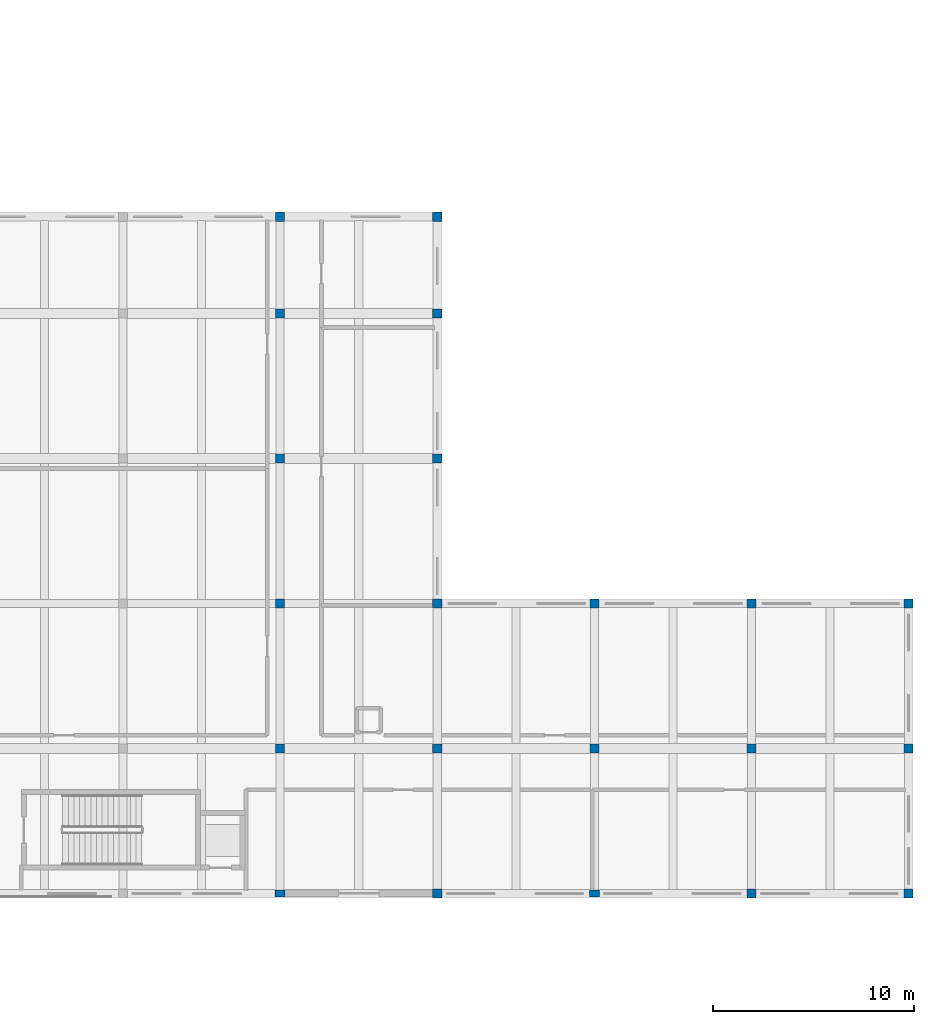
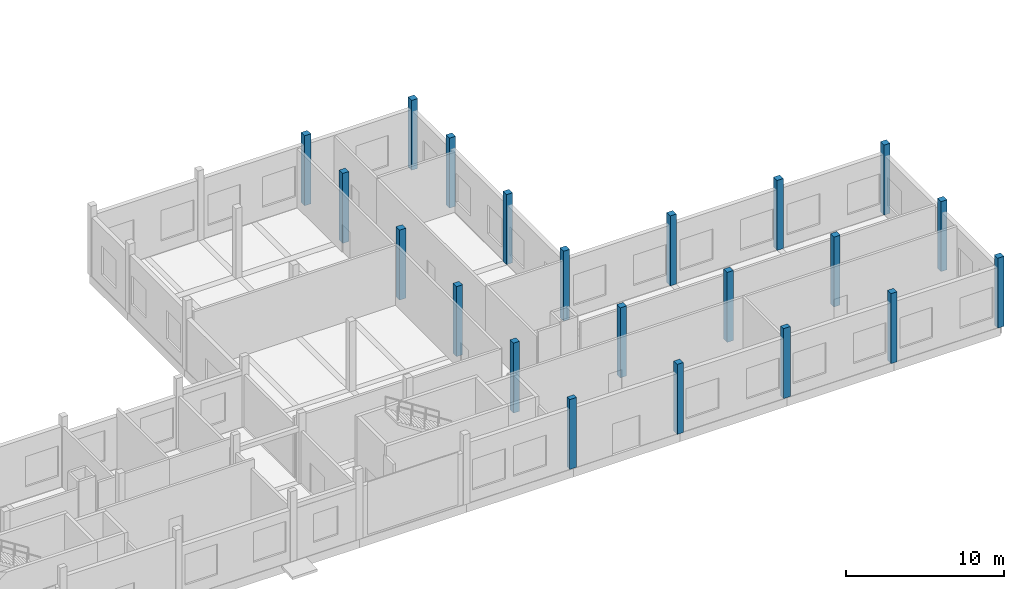
# One storey, part 7 of 41: 21 columns.
"""IFC4 building model written with IfcOpenShell, lengths in metres."""

from ifc_helpers import new_model, si_unit, direction, frame, origin, origin_2d, place, context, subcontext, project, spatial, rectangle, extrude, material, material_profile, profile_set, type_object, element, save


model = new_model("IFC4")

# Units and contexts
model_context = context("Model", 3, precision=1e-05, world=origin(), true_north=direction((0.0, 1.0)))
body_context = subcontext(model_context, "Body", "Model", "MODEL_VIEW")
ifc_project = project(units=[si_unit("LENGTHUNIT", "METRE"), si_unit("AREAUNIT", "SQUARE_METRE"), si_unit("VOLUMEUNIT", "CUBIC_METRE"), si_unit("PLANEANGLEUNIT", "RADIAN"), si_unit("MASSUNIT", "GRAM", prefix="KILO")], contexts=[model_context])

# Site, building, storey
site_placement = place(None, origin())
site = spatial("IfcSite", under=ifc_project, at=site_placement, CompositionType="ELEMENT")
building_placement = place(site_placement, origin())
building = spatial("IfcBuilding", under=site, at=building_placement, Name="Kahlenmark Community Centre", CompositionType="ELEMENT")
storey_placement = place(building_placement, origin())
storey = spatial("IfcBuildingStorey", under=building, at=storey_placement, Name="L00", CompositionType="ELEMENT", Elevation=0.0)

# Columns
ifc_material = material(Name="Concrete C35/45", Category="concrete")
ifc_material_profile_1 = material_profile(ifc_material, rectangle(XDim=0.5, YDim=0.35009765625, at=origin_2d()), Name="RC 500x350")
ifc_profile_set_1 = profile_set([ifc_material_profile_1], Name="Concrete C35/45")
column_type_1 = type_object("IfcColumnType", Name="CT-PIL500", PredefinedType="PILASTER", material=ifc_profile_set_1)
for number, where, z_axis, x_axis, name in (
    (1, (137.199951171875, 8.800048828125, 0.0), (0.0, 0.0, 1.0), (1.0, 0.0, 0.0), "L00 pilaster (137.2, 8.8)"),
    (2, (152.800048828125, 8.800048828125, 0.0), (0.0, 0.0, 1.0), (1.0, 0.0, 0.0), "L00 pilaster (152.8, 8.8)"),
):
    element("IfcColumn", number, at=place(storey_placement, frame(where, z_axis=z_axis, x_axis=x_axis)), inside=storey, type_object=column_type_1, Name=name, PredefinedType="PILASTER", context=body_context, shape_type="SweptSolid", body=[
        extrude(rectangle(XDim=0.5, YDim=0.35009765625, at=origin_2d()), origin(), (0.0, 0.0, 1.0), 5.39990234375),
    ])
ifc_material_profile_2 = material_profile(ifc_material, rectangle(XDim=0.449951171875, YDim=0.449951171875, at=origin_2d()), Name="RC 450x450")
ifc_profile_set_2 = profile_set([ifc_material_profile_2], Name="Concrete C35/45")
column_type_2 = type_object("IfcColumnType", Name="CT-RC450", PredefinedType="COLUMN", material=ifc_profile_set_2)
for number, where, z_axis, x_axis, name in (
    (3, (137.199951171875, 16.0, 0.0), (0.0, 0.0, 1.0), (1.0, 0.0, 0.0), "L00 column (137.2, 16.0)"),
    (4, (137.199951171875, 23.199951171875, 0.0), (0.0, 0.0, 1.0), (1.0, 0.0, 0.0), "L00 column (137.2, 23.2)"),
    (5, (137.199951171875, 30.39990234375, 0.0), (0.0, 0.0, 1.0), (1.0, 0.0, 0.0), "L00 column (137.2, 30.4)"),
    (6, (137.199951171875, 37.60009765625, 0.0), (0.0, 0.0, 1.0), (1.0, 0.0, 0.0), "L00 column (137.2, 37.6)"),
    (7, (137.199951171875, 42.39990234375, 0.0), (0.0, 0.0, 1.0), (1.0, 0.0, 0.0), "L00 column (137.2, 42.4)"),
    (8, (145.0, 8.800048828125, 0.0), (0.0, 0.0, 1.0), (1.0, 0.0, 0.0), "L00 column (145.0, 8.8)"),
    (9, (145.0, 16.0, 0.0), (0.0, 0.0, 1.0), (1.0, 0.0, 0.0), "L00 column (145.0, 16.0)"),
    (10, (145.0, 23.199951171875, 0.0), (0.0, 0.0, 1.0), (1.0, 0.0, 0.0), "L00 column (145.0, 23.2)"),
    (11, (145.0, 30.39990234375, 0.0), (0.0, 0.0, 1.0), (1.0, 0.0, 0.0), "L00 column (145.0, 30.4)"),
    (12, (145.0, 37.60009765625, 0.0), (0.0, 0.0, 1.0), (1.0, 0.0, 0.0), "L00 column (145.0, 37.6)"),
    (13, (145.0, 42.39990234375, 0.0), (0.0, 0.0, 1.0), (1.0, 0.0, 0.0), "L00 column (145.0, 42.4)"),
    (14, (152.800048828125, 16.0, 0.0), (0.0, 0.0, 1.0), (1.0, 0.0, 0.0), "L00 column (152.8, 16.0)"),
    (15, (152.800048828125, 23.199951171875, 0.0), (0.0, 0.0, 1.0), (1.0, 0.0, 0.0), "L00 column (152.8, 23.2)"),
    (16, (160.60009765625, 8.800048828125, 0.0), (0.0, 0.0, 1.0), (1.0, 0.0, 0.0), "L00 column (160.6, 8.8)"),
    (17, (160.60009765625, 16.0, 0.0), (0.0, 0.0, 1.0), (1.0, 0.0, 0.0), "L00 column (160.6, 16.0)"),
    (18, (160.60009765625, 23.199951171875, 0.0), (0.0, 0.0, 1.0), (1.0, 0.0, 0.0), "L00 column (160.6, 23.2)"),
    (19, (168.39990234375, 8.800048828125, 0.0), (0.0, 0.0, 1.0), (1.0, 0.0, 0.0), "L00 column (168.4, 8.8)"),
    (20, (168.39990234375, 16.0, 0.0), (0.0, 0.0, 1.0), (1.0, 0.0, 0.0), "L00 column (168.4, 16.0)"),
    (21, (168.39990234375, 23.199951171875, 0.0), (0.0, 0.0, 1.0), (1.0, 0.0, 0.0), "L00 column (168.4, 23.2)"),
):
    element("IfcColumn", number, at=place(storey_placement, frame(where, z_axis=z_axis, x_axis=x_axis)), inside=storey, type_object=column_type_2, Name=name, PredefinedType="COLUMN", context=body_context, shape_type="SweptSolid", body=[
        extrude(rectangle(XDim=0.449951171875, YDim=0.449951171875, at=origin_2d()), origin(), (0.0, 0.0, 1.0), 5.39990234375),
    ])

save(model, "model.ifc")
